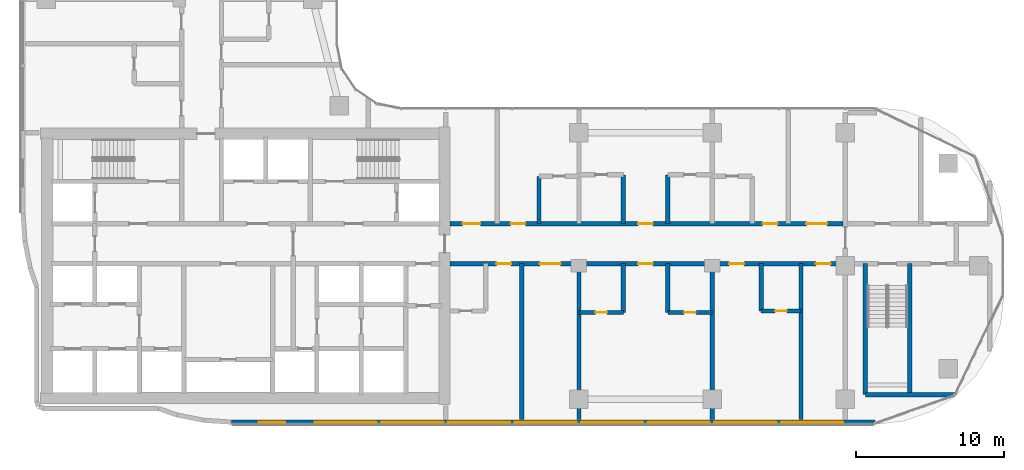
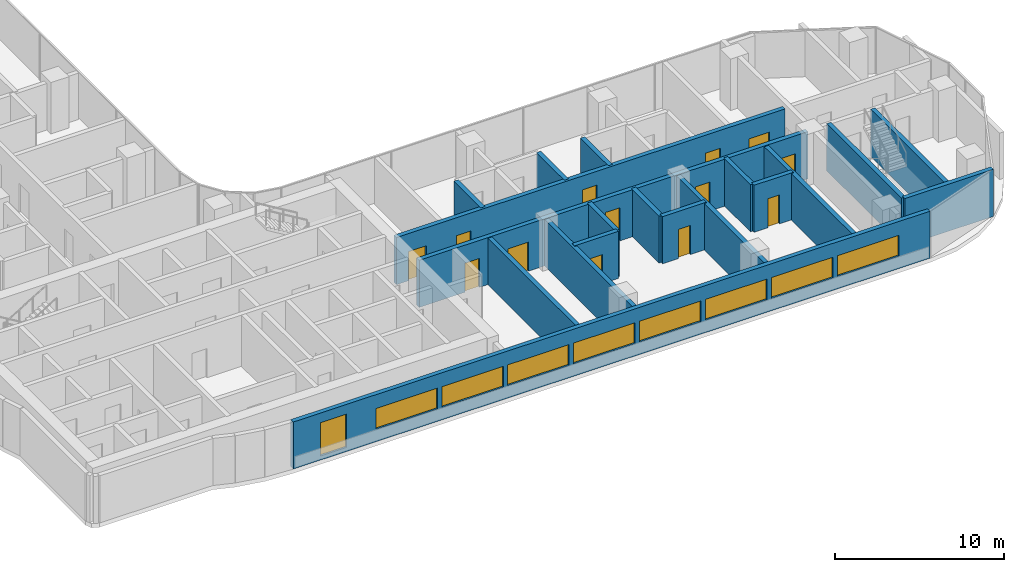
# One storey, part 11 of 22: 19 walls, 13 doors, 9 windows, 22 openings.
"""IFC4 building model written with IfcOpenShell, lengths in metres."""

from ifc_helpers import new_model, si_unit, direction, frame, frame_2d, origin, place, context, subcontext, project, spatial, rectangle, extrude, material, layer, layer_set, type_object, element, fill, save


model = new_model("IFC4")

# Units and contexts
model_context = context("Model", 3, precision=1e-05, world=origin(), true_north=direction((0.0, 1.0)))
body_context = subcontext(model_context, "Body", "Model", "MODEL_VIEW")
ifc_project = project(units=[si_unit("LENGTHUNIT", "METRE"), si_unit("AREAUNIT", "SQUARE_METRE"), si_unit("VOLUMEUNIT", "CUBIC_METRE"), si_unit("PLANEANGLEUNIT", "RADIAN"), si_unit("MASSUNIT", "GRAM", prefix="KILO")], contexts=[model_context])

# Site, building, storey
site_placement = place(None, origin())
site = spatial("IfcSite", under=ifc_project, at=site_placement, CompositionType="ELEMENT")
building_placement = place(site_placement, origin())
building = spatial("IfcBuilding", under=site, at=building_placement, Name="Ogive Portal Towers", CompositionType="ELEMENT")
storey_placement = place(building_placement, frame((0.0, 0.0, 131.5)))
storey = spatial("IfcBuildingStorey", under=building, at=storey_placement, Name="L32", CompositionType="ELEMENT", Elevation=131.5)

# Wall, openings, windows
ifc_material_1 = material(Name="Limestone cladding on lightweight block wall", Category="masonry")
ifc_layer_1 = layer(ifc_material_1, 0.300048828125)
ifc_layer_set_1 = layer_set([ifc_layer_1], Name="EXTERNAL WALL 300 STONE")
wall_type_1 = type_object("IfcWallType", Name="EXTERNAL WALL 300 STONE", PredefinedType="SOLIDWALL", material=ifc_layer_set_1)
wall_1_placement = place(storey_placement, frame((44.009765625, 19.93505859375, 0.0), z_axis=(0.0, 0.0, 1.0), x_axis=(1.0, 0.0, 0.0)))
wall_1 = element("IfcWall", 1, at=wall_1_placement, inside=storey, type_object=wall_type_1, Name="A:L32:f07:r0:wall", PredefinedType="SOLIDWALL", context=body_context, shape_type="SweptSolid", body=[
    extrude(rectangle(XDim=43.4765625, YDim=0.300048828125, at=frame_2d((21.73828125, 0.0))), origin(), (0.0, 0.0, 1.0), 3.39990234375),
])
opening_1_placement = place(wall_1_placement, frame((1.844970703125, 0.0, 0.300048828125)))
opening_1 = element("IfcOpeningElement", 2, at=opening_1_placement, cuts=wall_1, Name="Opening WN10", PredefinedType="OPENING", context=body_context, shape_type="SweptSolid", body=[
    extrude(rectangle(XDim=1.800048828125, YDim=2.39990234375, at=frame_2d((0.89990234375, 1.199951171875))), frame((0.0, 0.16015625, 0.0), z_axis=(0.0, -1.0, 0.0), x_axis=(1.0, 0.0, 0.0)), (0.0, 0.0, 1.0), 0.320068359375),
])
opening_2_placement = place(wall_1_placement, frame((5.64013671875, 0.0, 0.89990234375)))
opening_2 = element("IfcOpeningElement", 3, at=opening_2_placement, cuts=wall_1, Name="Opening WN11", PredefinedType="OPENING", context=body_context, shape_type="SweptSolid", body=[
    extrude(rectangle(XDim=4.199951171875, YDim=1.5, at=frame_2d((2.10009765625, 0.75))), frame((0.0, 0.16015625, 0.0), z_axis=(0.0, -1.0, 0.0), x_axis=(1.0, 0.0, 0.0)), (0.0, 0.0, 1.0), 0.320068359375),
])
opening_3_placement = place(wall_1_placement, frame((10.14013671875, 0.0, 0.89990234375)))
opening_3 = element("IfcOpeningElement", 4, at=opening_3_placement, cuts=wall_1, Name="Opening WN11", PredefinedType="OPENING", context=body_context, shape_type="SweptSolid", body=[
    extrude(rectangle(XDim=4.199951171875, YDim=1.5, at=frame_2d((2.10009765625, 0.75))), frame((0.0, 0.16015625, 0.0), z_axis=(0.0, -1.0, 0.0), x_axis=(1.0, 0.0, 0.0)), (0.0, 0.0, 1.0), 0.320068359375),
])
opening_4_placement = place(wall_1_placement, frame((14.64013671875, 0.0, 0.89990234375)))
opening_4 = element("IfcOpeningElement", 5, at=opening_4_placement, cuts=wall_1, Name="Opening WN11", PredefinedType="OPENING", context=body_context, shape_type="SweptSolid", body=[
    extrude(rectangle(XDim=4.199951171875, YDim=1.5, at=frame_2d((2.10009765625, 0.75))), frame((0.0, 0.16015625, 0.0), z_axis=(0.0, -1.0, 0.0), x_axis=(1.0, 0.0, 0.0)), (0.0, 0.0, 1.0), 0.320068359375),
])
opening_5_placement = place(wall_1_placement, frame((19.14013671875, 0.0, 0.89990234375)))
opening_5 = element("IfcOpeningElement", 6, at=opening_5_placement, cuts=wall_1, Name="Opening WN11", PredefinedType="OPENING", context=body_context, shape_type="SweptSolid", body=[
    extrude(rectangle(XDim=4.199951171875, YDim=1.5, at=frame_2d((2.10009765625, 0.75))), frame((0.0, 0.16015625, 0.0), z_axis=(0.0, -1.0, 0.0), x_axis=(1.0, 0.0, 0.0)), (0.0, 0.0, 1.0), 0.320068359375),
])
opening_6_placement = place(wall_1_placement, frame((23.64013671875, 0.0, 0.89990234375)))
opening_6 = element("IfcOpeningElement", 7, at=opening_6_placement, cuts=wall_1, Name="Opening WN11", PredefinedType="OPENING", context=body_context, shape_type="SweptSolid", body=[
    extrude(rectangle(XDim=4.199951171875, YDim=1.5, at=frame_2d((2.10009765625, 0.75))), frame((0.0, 0.16015625, 0.0), z_axis=(0.0, -1.0, 0.0), x_axis=(1.0, 0.0, 0.0)), (0.0, 0.0, 1.0), 0.320068359375),
])
opening_7_placement = place(wall_1_placement, frame((28.14013671875, 0.0, 0.89990234375)))
opening_7 = element("IfcOpeningElement", 8, at=opening_7_placement, cuts=wall_1, Name="Opening WN11", PredefinedType="OPENING", context=body_context, shape_type="SweptSolid", body=[
    extrude(rectangle(XDim=4.199951171875, YDim=1.5, at=frame_2d((2.10009765625, 0.75))), frame((0.0, 0.16015625, 0.0), z_axis=(0.0, -1.0, 0.0), x_axis=(1.0, 0.0, 0.0)), (0.0, 0.0, 1.0), 0.320068359375),
])
opening_8_placement = place(wall_1_placement, frame((32.64013671875, 0.0, 0.89990234375)))
opening_8 = element("IfcOpeningElement", 9, at=opening_8_placement, cuts=wall_1, Name="Opening WN11", PredefinedType="OPENING", context=body_context, shape_type="SweptSolid", body=[
    extrude(rectangle(XDim=4.199951171875, YDim=1.5, at=frame_2d((2.10009765625, 0.75))), frame((0.0, 0.16015625, 0.0), z_axis=(0.0, -1.0, 0.0), x_axis=(1.0, 0.0, 0.0)), (0.0, 0.0, 1.0), 0.320068359375),
])
opening_9_placement = place(wall_1_placement, frame((37.14013671875, 0.0, 0.89990234375)))
opening_9 = element("IfcOpeningElement", 10, at=opening_9_placement, cuts=wall_1, Name="Opening WN11", PredefinedType="OPENING", context=body_context, shape_type="SweptSolid", body=[
    extrude(rectangle(XDim=4.199951171875, YDim=1.5, at=frame_2d((2.10009765625, 0.75))), frame((0.0, 0.16015625, 0.0), z_axis=(0.0, -1.0, 0.0), x_axis=(1.0, 0.0, 0.0)), (0.0, 0.0, 1.0), 0.320068359375),
])
ifc_material_2 = material(Name="Glass, clear low-iron insulated glazing", Category="glass")
window_type_1 = type_object("IfcWindowType", Name="WINDOW RIBBON 4200x1500", PartitioningType="TRIPLE_PANEL_VERTICAL", PredefinedType="WINDOW", material=ifc_material_2)
window_1_placement = place(opening_2_placement, origin())
window_1 = element("IfcWindow", 11, at=window_1_placement, inside=storey, type_object=window_type_1, Name="A:L32:f07:r0:w1", OverallHeight=1.5, OverallWidth=4.199951171875, PartitioningType="SINGLE_PANEL", PredefinedType="WINDOW", context=body_context, shape_type="SweptSolid", body=[
    extrude(rectangle(XDim=4.199951171875, YDim=1.5, at=frame_2d((2.10009765625, 0.75))), frame((0.0, 0.030029296875, 0.0), z_axis=(0.0, -1.0, 0.0), x_axis=(1.0, 0.0, 0.0)), (0.0, 0.0, 1.0), 0.06005859375),
])
fill(opening_2, window_1)
window_2_placement = place(opening_3_placement, origin())
window_2 = element("IfcWindow", 12, at=window_2_placement, inside=storey, type_object=window_type_1, Name="A:L32:f07:r0:w2", OverallHeight=1.5, OverallWidth=4.199951171875, PartitioningType="SINGLE_PANEL", PredefinedType="WINDOW", context=body_context, shape_type="SweptSolid", body=[
    extrude(rectangle(XDim=4.199951171875, YDim=1.5, at=frame_2d((2.10009765625, 0.75))), frame((0.0, 0.030029296875, 0.0), z_axis=(0.0, -1.0, 0.0), x_axis=(1.0, 0.0, 0.0)), (0.0, 0.0, 1.0), 0.06005859375),
])
fill(opening_3, window_2)
window_3_placement = place(opening_4_placement, origin())
window_3 = element("IfcWindow", 13, at=window_3_placement, inside=storey, type_object=window_type_1, Name="A:L32:f07:r0:w3", OverallHeight=1.5, OverallWidth=4.199951171875, PartitioningType="SINGLE_PANEL", PredefinedType="WINDOW", context=body_context, shape_type="SweptSolid", body=[
    extrude(rectangle(XDim=4.199951171875, YDim=1.5, at=frame_2d((2.10009765625, 0.75))), frame((0.0, 0.030029296875, 0.0), z_axis=(0.0, -1.0, 0.0), x_axis=(1.0, 0.0, 0.0)), (0.0, 0.0, 1.0), 0.06005859375),
])
fill(opening_4, window_3)
window_4_placement = place(opening_5_placement, origin())
window_4 = element("IfcWindow", 14, at=window_4_placement, inside=storey, type_object=window_type_1, Name="A:L32:f07:r0:w4", OverallHeight=1.5, OverallWidth=4.199951171875, PartitioningType="SINGLE_PANEL", PredefinedType="WINDOW", context=body_context, shape_type="SweptSolid", body=[
    extrude(rectangle(XDim=4.199951171875, YDim=1.5, at=frame_2d((2.10009765625, 0.75))), frame((0.0, 0.030029296875, 0.0), z_axis=(0.0, -1.0, 0.0), x_axis=(1.0, 0.0, 0.0)), (0.0, 0.0, 1.0), 0.06005859375),
])
fill(opening_5, window_4)
window_5_placement = place(opening_6_placement, origin())
window_5 = element("IfcWindow", 15, at=window_5_placement, inside=storey, type_object=window_type_1, Name="A:L32:f07:r0:w5", OverallHeight=1.5, OverallWidth=4.199951171875, PartitioningType="SINGLE_PANEL", PredefinedType="WINDOW", context=body_context, shape_type="SweptSolid", body=[
    extrude(rectangle(XDim=4.199951171875, YDim=1.5, at=frame_2d((2.10009765625, 0.75))), frame((0.0, 0.030029296875, 0.0), z_axis=(0.0, -1.0, 0.0), x_axis=(1.0, 0.0, 0.0)), (0.0, 0.0, 1.0), 0.06005859375),
])
fill(opening_6, window_5)
window_6_placement = place(opening_7_placement, origin())
window_6 = element("IfcWindow", 16, at=window_6_placement, inside=storey, type_object=window_type_1, Name="A:L32:f07:r0:w6", OverallHeight=1.5, OverallWidth=4.199951171875, PartitioningType="SINGLE_PANEL", PredefinedType="WINDOW", context=body_context, shape_type="SweptSolid", body=[
    extrude(rectangle(XDim=4.199951171875, YDim=1.5, at=frame_2d((2.10009765625, 0.75))), frame((0.0, 0.030029296875, 0.0), z_axis=(0.0, -1.0, 0.0), x_axis=(1.0, 0.0, 0.0)), (0.0, 0.0, 1.0), 0.06005859375),
])
fill(opening_7, window_6)
window_7_placement = place(opening_8_placement, origin())
window_7 = element("IfcWindow", 17, at=window_7_placement, inside=storey, type_object=window_type_1, Name="A:L32:f07:r0:w7", OverallHeight=1.5, OverallWidth=4.199951171875, PartitioningType="SINGLE_PANEL", PredefinedType="WINDOW", context=body_context, shape_type="SweptSolid", body=[
    extrude(rectangle(XDim=4.199951171875, YDim=1.5, at=frame_2d((2.10009765625, 0.75))), frame((0.0, 0.030029296875, 0.0), z_axis=(0.0, -1.0, 0.0), x_axis=(1.0, 0.0, 0.0)), (0.0, 0.0, 1.0), 0.06005859375),
])
fill(opening_8, window_7)
window_8_placement = place(opening_9_placement, origin())
window_8 = element("IfcWindow", 18, at=window_8_placement, inside=storey, type_object=window_type_1, Name="A:L32:f07:r0:w8", OverallHeight=1.5, OverallWidth=4.199951171875, PartitioningType="SINGLE_PANEL", PredefinedType="WINDOW", context=body_context, shape_type="SweptSolid", body=[
    extrude(rectangle(XDim=4.199951171875, YDim=1.5, at=frame_2d((2.10009765625, 0.75))), frame((0.0, 0.030029296875, 0.0), z_axis=(0.0, -1.0, 0.0), x_axis=(1.0, 0.0, 0.0)), (0.0, 0.0, 1.0), 0.06005859375),
])
fill(opening_9, window_8)
window_type_2 = type_object("IfcWindowType", Name="WINDOW SUITE CORNER 1800x2400", PartitioningType="DOUBLE_PANEL_VERTICAL", PredefinedType="WINDOW", material=ifc_material_2)
window_9_placement = place(opening_1_placement, origin())
window_9 = element("IfcWindow", 19, at=window_9_placement, inside=storey, type_object=window_type_2, Name="A:L32:f07:r0:w0", OverallHeight=2.39990234375, OverallWidth=1.800048828125, PartitioningType="SINGLE_PANEL", PredefinedType="WINDOW", context=body_context, shape_type="SweptSolid", body=[
    extrude(rectangle(XDim=1.800048828125, YDim=2.39990234375, at=frame_2d((0.89990234375, 1.199951171875))), frame((0.0, 0.030029296875, 0.0), z_axis=(0.0, -1.0, 0.0), x_axis=(1.0, 0.0, 0.0)), (0.0, 0.0, 1.0), 0.06005859375),
])
fill(opening_1, window_9)

# Walls
ifc_material_3 = material(Name="Concrete C50/60", Category="concrete")
ifc_layer_2 = layer(ifc_material_3, 0.300048828125)
ifc_layer_set_2 = layer_set([ifc_layer_2], Name="STAIR WALL 300 C50")
wall_type_2 = type_object("IfcWallType", Name="STAIR WALL 300 C50", PredefinedType="SHEAR", material=ifc_layer_set_2)
wall_2_placement = place(storey_placement, frame((86.85009765625, 21.800048828125, 0.0), z_axis=(0.0, 0.0, 1.0), x_axis=(1.0, 0.0, 0.0)))
element("IfcWall", 20, at=wall_2_placement, inside=storey, type_object=wall_type_2, Name="Stair wall ST-A4 L32", PredefinedType="SHEAR", context=body_context, shape_type="SweptSolid", body=[
    extrude(rectangle(XDim=6.0458984375, YDim=0.300048828125, at=frame_2d((3.02294921875, 0.0))), origin(), (0.0, 0.0, 1.0), 3.39990234375),
])
for number, where, z_axis, x_axis, name in (
    (21, (86.85009765625, 21.800048828125, 0.0), (0.0, 0.0, 1.0), (0.0, 1.0, 0.0), "Stair wall ST-A4 L32"),
    (22, (89.85009765625, 21.800048828125, 0.0), (0.0, 0.0, 1.0), (0.0, 1.0, 0.0), "Stair wall ST-A4 L32"),
):
    element("IfcWall", number, at=place(storey_placement, frame(where, z_axis=z_axis, x_axis=x_axis)), inside=storey, type_object=wall_type_2, Name=name, PredefinedType="SHEAR", context=body_context, shape_type="SweptSolid", body=[
        extrude(rectangle(XDim=8.849853515625, YDim=0.300048828125, at=frame_2d((4.4248046875, 0.0))), origin(), (0.0, 0.0, 1.0), 3.39990234375),
    ])

# Wall, openings, doors
ifc_material_4 = material(Name="Gypsum board partition on steel studs", Category="steel")
ifc_layer_3 = layer(ifc_material_4, 0.300048828125)
ifc_layer_set_3 = layer_set([ifc_layer_3], Name="WT-PART-300-EI 120")
wall_type_3 = type_object("IfcWallType", Name="WT-PART-300-EI 120", PredefinedType="PARTITIONING", material=ifc_layer_set_3)
wall_3_placement = place(storey_placement, frame((58.800048828125, 30.64990234375, 0.0), z_axis=(0.0, 0.0, 1.0), x_axis=(1.0, 0.0, 0.0)))
wall_3 = element("IfcWall", 23, at=wall_3_placement, inside=storey, type_object=wall_type_3, Name="Wall L32:w006", PredefinedType="PARTITIONING", context=body_context, shape_type="SweptSolid", body=[
    extrude(rectangle(XDim=26.530029296875, YDim=0.300048828125, at=frame_2d((13.26513671875, 0.0))), origin(), (0.0, 0.0, 1.0), 3.39990234375),
])
opening_10_placement = place(wall_3_placement, frame((3.114990234375, 0.0, 0.0)))
opening_10 = element("IfcOpeningElement", 24, at=opening_10_placement, cuts=wall_3, Name="Opening D11-031", PredefinedType="OPENING", context=body_context, shape_type="SweptSolid", body=[
    extrude(rectangle(XDim=1.0, YDim=2.10009765625, at=frame_2d((0.5, 1.050048828125))), frame((0.0, 0.16015625, 0.0), z_axis=(0.0, -1.0, 0.0), x_axis=(1.0, 0.0, 0.0)), (0.0, 0.0, 1.0), 0.320068359375),
])
opening_11_placement = place(wall_3_placement, frame((6.06494140625, 0.0, 0.0)))
opening_11 = element("IfcOpeningElement", 25, at=opening_11_placement, cuts=wall_3, Name="Opening D11-032", PredefinedType="OPENING", context=body_context, shape_type="SweptSolid", body=[
    extrude(rectangle(XDim=1.39990234375, YDim=2.10009765625, at=frame_2d((0.699951171875, 1.050048828125))), frame((0.0, 0.16015625, 0.0), z_axis=(0.0, -1.0, 0.0), x_axis=(1.0, 0.0, 0.0)), (0.0, 0.0, 1.0), 0.320068359375),
])
opening_12_placement = place(wall_3_placement, frame((12.699951171875, 0.0, 0.0)))
opening_12 = element("IfcOpeningElement", 26, at=opening_12_placement, cuts=wall_3, Name="Opening D11-038", PredefinedType="OPENING", context=body_context, shape_type="SweptSolid", body=[
    extrude(rectangle(XDim=1.0, YDim=2.39990234375, at=frame_2d((0.5, 1.199951171875))), frame((0.0, 0.16015625, 0.0), z_axis=(0.0, -1.0, 0.0), x_axis=(1.0, 0.0, 0.0)), (0.0, 0.0, 1.0), 0.320068359375),
])
opening_13_placement = place(wall_3_placement, frame((18.85009765625, 0.0, 0.0)))
opening_13 = element("IfcOpeningElement", 27, at=opening_13_placement, cuts=wall_3, Name="Opening D11-043", PredefinedType="OPENING", context=body_context, shape_type="SweptSolid", body=[
    extrude(rectangle(XDim=1.0, YDim=2.10009765625, at=frame_2d((0.5, 1.050048828125))), frame((0.0, 0.16015625, 0.0), z_axis=(0.0, -1.0, 0.0), x_axis=(1.0, 0.0, 0.0)), (0.0, 0.0, 1.0), 0.320068359375),
])
opening_14_placement = place(wall_3_placement, frame((24.699951171875, 0.0, 0.0)))
opening_14 = element("IfcOpeningElement", 28, at=opening_14_placement, cuts=wall_3, Name="Opening D11-044", PredefinedType="OPENING", context=body_context, shape_type="SweptSolid", body=[
    extrude(rectangle(XDim=1.0, YDim=2.10009765625, at=frame_2d((0.5, 1.050048828125))), frame((0.0, 0.16015625, 0.0), z_axis=(0.0, -1.0, 0.0), x_axis=(1.0, 0.0, 0.0)), (0.0, 0.0, 1.0), 0.320068359375),
])
ifc_material_5 = material(Name="Steel fire door", Category="steel")
door_type_1 = type_object("IfcDoorType", Name="DT-ENTRY-1000x2100-FD90S", OperationType="SINGLE_SWING_LEFT", PredefinedType="DOOR", material=ifc_material_5)
door_1_placement = place(opening_10_placement, origin())
door_1 = element("IfcDoor", 29, at=door_1_placement, inside=storey, type_object=door_type_1, Name="Door D11-031", OperationType="SINGLE_SWING_LEFT", OverallHeight=2.10009765625, OverallWidth=1.0, PredefinedType="DOOR", context=body_context, shape_type="SweptSolid", body=[
    extrude(rectangle(XDim=1.0, YDim=2.10009765625, at=frame_2d((0.5, 1.050048828125))), frame((0.0, 0.02490234375, 0.0), z_axis=(0.0, -1.0, 0.0), x_axis=(1.0, 0.0, 0.0)), (0.0, 0.0, 1.0), 0.050048828125),
])
fill(opening_10, door_1)
door_2_placement = place(opening_13_placement, origin())
door_2 = element("IfcDoor", 30, at=door_2_placement, inside=storey, type_object=door_type_1, Name="Door D11-043", OperationType="SINGLE_SWING_LEFT", OverallHeight=2.10009765625, OverallWidth=1.0, PredefinedType="DOOR", context=body_context, shape_type="SweptSolid", body=[
    extrude(rectangle(XDim=1.0, YDim=2.10009765625, at=frame_2d((0.5, 1.050048828125))), frame((0.0, 0.02490234375, 0.0), z_axis=(0.0, -1.0, 0.0), x_axis=(1.0, 0.0, 0.0)), (0.0, 0.0, 1.0), 0.050048828125),
])
fill(opening_13, door_2)
door_3_placement = place(opening_14_placement, origin())
door_3 = element("IfcDoor", 31, at=door_3_placement, inside=storey, type_object=door_type_1, Name="Door D11-044", OperationType="SINGLE_SWING_RIGHT", OverallHeight=2.10009765625, OverallWidth=1.0, PredefinedType="DOOR", context=body_context, shape_type="SweptSolid", body=[
    extrude(rectangle(XDim=1.0, YDim=2.10009765625, at=frame_2d((0.5, 1.050048828125))), frame((0.0, 0.02490234375, 0.0), z_axis=(0.0, -1.0, 0.0), x_axis=(1.0, 0.0, 0.0)), (0.0, 0.0, 1.0), 0.050048828125),
])
fill(opening_14, door_3)
door_type_2 = type_object("IfcDoorType", Name="DT-ENTRY-1000x2400-FD90S", OperationType="SINGLE_SWING_LEFT", PredefinedType="DOOR", material=ifc_material_5)
door_4_placement = place(opening_12_placement, origin())
door_4 = element("IfcDoor", 32, at=door_4_placement, inside=storey, type_object=door_type_2, Name="Door D11-038", OperationType="SINGLE_SWING_LEFT", OverallHeight=2.39990234375, OverallWidth=1.0, PredefinedType="DOOR", context=body_context, shape_type="SweptSolid", body=[
    extrude(rectangle(XDim=1.0, YDim=2.39990234375, at=frame_2d((0.5, 1.199951171875))), frame((0.0, 0.02490234375, 0.0), z_axis=(0.0, -1.0, 0.0), x_axis=(1.0, 0.0, 0.0)), (0.0, 0.0, 1.0), 0.050048828125),
])
fill(opening_12, door_4)
door_type_3 = type_object("IfcDoorType", Name="DT-ENTRY-1400x2100-FD90S", OperationType="SINGLE_SWING_LEFT", PredefinedType="DOOR", material=ifc_material_5)
door_5_placement = place(opening_11_placement, origin())
door_5 = element("IfcDoor", 33, at=door_5_placement, inside=storey, type_object=door_type_3, Name="Door D11-032", OperationType="SINGLE_SWING_RIGHT", OverallHeight=2.10009765625, OverallWidth=1.39990234375, PredefinedType="DOOR", context=body_context, shape_type="SweptSolid", body=[
    extrude(rectangle(XDim=1.39990234375, YDim=2.10009765625, at=frame_2d((0.699951171875, 1.050048828125))), frame((0.0, 0.02490234375, 0.0), z_axis=(0.0, -1.0, 0.0), x_axis=(1.0, 0.0, 0.0)), (0.0, 0.0, 1.0), 0.050048828125),
])
fill(opening_11, door_5)

wall_4_placement = place(storey_placement, frame((58.800048828125, 33.35009765625, 0.0), z_axis=(0.0, 0.0, 1.0), x_axis=(1.0, 0.0, 0.0)))
wall_4 = element("IfcWall", 34, at=wall_4_placement, inside=storey, type_object=wall_type_3, Name="Wall L32:w008", PredefinedType="PARTITIONING", context=body_context, shape_type="SweptSolid", body=[
    extrude(rectangle(XDim=26.530029296875, YDim=0.300048828125, at=frame_2d((13.26513671875, 0.0))), origin(), (0.0, 0.0, 1.0), 3.39990234375),
])
opening_15_placement = place(wall_4_placement, frame((0.8349609375, 0.0, 0.0)))
opening_15 = element("IfcOpeningElement", 35, at=opening_15_placement, cuts=wall_4, Name="Opening D11-027", PredefinedType="OPENING", context=body_context, shape_type="SweptSolid", body=[
    extrude(rectangle(XDim=1.199951171875, YDim=2.10009765625, at=frame_2d((0.60009765625, 1.050048828125))), frame((0.0, 0.16015625, 0.0), z_axis=(0.0, -1.0, 0.0), x_axis=(1.0, 0.0, 0.0)), (0.0, 0.0, 1.0), 0.320068359375),
])
opening_16_placement = place(wall_4_placement, frame((4.0849609375, 0.0, 0.0)))
opening_16 = element("IfcOpeningElement", 36, at=opening_16_placement, cuts=wall_4, Name="Opening D11-029", PredefinedType="OPENING", context=body_context, shape_type="SweptSolid", body=[
    extrude(rectangle(XDim=1.0, YDim=2.10009765625, at=frame_2d((0.5, 1.050048828125))), frame((0.0, 0.16015625, 0.0), z_axis=(0.0, -1.0, 0.0), x_axis=(1.0, 0.0, 0.0)), (0.0, 0.0, 1.0), 0.320068359375),
])
opening_17_placement = place(wall_4_placement, frame((12.699951171875, 0.0, 0.0)))
opening_17 = element("IfcOpeningElement", 37, at=opening_17_placement, cuts=wall_4, Name="Opening D11-035", PredefinedType="OPENING", context=body_context, shape_type="SweptSolid", body=[
    extrude(rectangle(XDim=1.0, YDim=2.39990234375, at=frame_2d((0.5, 1.199951171875))), frame((0.0, 0.16015625, 0.0), z_axis=(0.0, -1.0, 0.0), x_axis=(1.0, 0.0, 0.0)), (0.0, 0.0, 1.0), 0.320068359375),
])
opening_18_placement = place(wall_4_placement, frame((21.114990234375, 0.0, 0.0)))
opening_18 = element("IfcOpeningElement", 38, at=opening_18_placement, cuts=wall_4, Name="Opening D11-040", PredefinedType="OPENING", context=body_context, shape_type="SweptSolid", body=[
    extrude(rectangle(XDim=1.0, YDim=2.10009765625, at=frame_2d((0.5, 1.050048828125))), frame((0.0, 0.16015625, 0.0), z_axis=(0.0, -1.0, 0.0), x_axis=(1.0, 0.0, 0.0)), (0.0, 0.0, 1.0), 0.320068359375),
])
opening_19_placement = place(wall_4_placement, frame((24.06494140625, 0.0, 0.0)))
opening_19 = element("IfcOpeningElement", 39, at=opening_19_placement, cuts=wall_4, Name="Opening D11-041", PredefinedType="OPENING", context=body_context, shape_type="SweptSolid", body=[
    extrude(rectangle(XDim=1.39990234375, YDim=2.10009765625, at=frame_2d((0.699951171875, 1.050048828125))), frame((0.0, 0.16015625, 0.0), z_axis=(0.0, -1.0, 0.0), x_axis=(1.0, 0.0, 0.0)), (0.0, 0.0, 1.0), 0.320068359375),
])
door_6_placement = place(opening_16_placement, origin())
door_6 = element("IfcDoor", 40, at=door_6_placement, inside=storey, type_object=door_type_1, Name="Door D11-029", OperationType="SINGLE_SWING_LEFT", OverallHeight=2.10009765625, OverallWidth=1.0, PredefinedType="DOOR", context=body_context, shape_type="SweptSolid", body=[
    extrude(rectangle(XDim=1.0, YDim=2.10009765625, at=frame_2d((0.5, 1.050048828125))), frame((0.0, 0.02490234375, 0.0), z_axis=(0.0, -1.0, 0.0), x_axis=(1.0, 0.0, 0.0)), (0.0, 0.0, 1.0), 0.050048828125),
])
fill(opening_16, door_6)
door_7_placement = place(opening_18_placement, origin())
door_7 = element("IfcDoor", 41, at=door_7_placement, inside=storey, type_object=door_type_1, Name="Door D11-040", OperationType="SINGLE_SWING_LEFT", OverallHeight=2.10009765625, OverallWidth=1.0, PredefinedType="DOOR", context=body_context, shape_type="SweptSolid", body=[
    extrude(rectangle(XDim=1.0, YDim=2.10009765625, at=frame_2d((0.5, 1.050048828125))), frame((0.0, 0.02490234375, 0.0), z_axis=(0.0, -1.0, 0.0), x_axis=(1.0, 0.0, 0.0)), (0.0, 0.0, 1.0), 0.050048828125),
])
fill(opening_18, door_7)
door_8_placement = place(opening_17_placement, origin())
door_8 = element("IfcDoor", 42, at=door_8_placement, inside=storey, type_object=door_type_2, Name="Door D11-035", OperationType="SINGLE_SWING_LEFT", OverallHeight=2.39990234375, OverallWidth=1.0, PredefinedType="DOOR", context=body_context, shape_type="SweptSolid", body=[
    extrude(rectangle(XDim=1.0, YDim=2.39990234375, at=frame_2d((0.5, 1.199951171875))), frame((0.0, 0.02490234375, 0.0), z_axis=(0.0, -1.0, 0.0), x_axis=(1.0, 0.0, 0.0)), (0.0, 0.0, 1.0), 0.050048828125),
])
fill(opening_17, door_8)
door_type_4 = type_object("IfcDoorType", Name="DT-ENTRY-1200x2100-FD90S", OperationType="SINGLE_SWING_LEFT", PredefinedType="DOOR", material=ifc_material_5)
door_9_placement = place(opening_15_placement, origin())
door_9 = element("IfcDoor", 43, at=door_9_placement, inside=storey, type_object=door_type_4, Name="Door D11-027", OperationType="SINGLE_SWING_LEFT", OverallHeight=2.10009765625, OverallWidth=1.199951171875, PredefinedType="DOOR", context=body_context, shape_type="SweptSolid", body=[
    extrude(rectangle(XDim=1.199951171875, YDim=2.10009765625, at=frame_2d((0.60009765625, 1.050048828125))), frame((0.0, 0.02490234375, 0.0), z_axis=(0.0, -1.0, 0.0), x_axis=(1.0, 0.0, 0.0)), (0.0, 0.0, 1.0), 0.050048828125),
])
fill(opening_15, door_9)
door_10_placement = place(opening_19_placement, origin())
door_10 = element("IfcDoor", 44, at=door_10_placement, inside=storey, type_object=door_type_3, Name="Door D11-041", OperationType="SINGLE_SWING_RIGHT", OverallHeight=2.10009765625, OverallWidth=1.39990234375, PredefinedType="DOOR", context=body_context, shape_type="SweptSolid", body=[
    extrude(rectangle(XDim=1.39990234375, YDim=2.10009765625, at=frame_2d((0.699951171875, 1.050048828125))), frame((0.0, 0.02490234375, 0.0), z_axis=(0.0, -1.0, 0.0), x_axis=(1.0, 0.0, 0.0)), (0.0, 0.0, 1.0), 0.050048828125),
])
fill(opening_19, door_10)

# Wall, opening, door
ifc_layer_4 = layer(ifc_material_4, 0.300048828125)
ifc_layer_set_4 = layer_set([ifc_layer_4], Name="WT-PART-300-EI 60")
wall_type_4 = type_object("IfcWallType", Name="WT-PART-300-EI 60", PredefinedType="PARTITIONING", material=ifc_layer_set_4)
wall_5_placement = place(storey_placement, frame((67.5, 27.35009765625, 0.0), z_axis=(0.0, 0.0, 1.0), x_axis=(1.0, 0.0, 0.0)))
wall_5 = element("IfcWall", 45, at=wall_5_placement, inside=storey, type_object=wall_type_4, Name="Wall L32:w002", PredefinedType="PARTITIONING", context=body_context, shape_type="SweptSolid", body=[
    extrude(rectangle(XDim=3.0, YDim=0.300048828125, at=frame_2d((1.5, 0.0))), origin(), (0.0, 0.0, 1.0), 3.39990234375),
])
opening_20_placement = place(wall_5_placement, frame((1.10009765625, 0.0, 0.0)))
opening_20 = element("IfcOpeningElement", 46, at=opening_20_placement, cuts=wall_5, Name="Opening D11-036", PredefinedType="OPENING", context=body_context, shape_type="SweptSolid", body=[
    extrude(rectangle(XDim=0.800048828125, YDim=2.10009765625, at=frame_2d((0.39990234375, 1.050048828125))), frame((0.0, 0.16015625, 0.0), z_axis=(0.0, -1.0, 0.0), x_axis=(1.0, 0.0, 0.0)), (0.0, 0.0, 1.0), 0.320068359375),
])
door_type_5 = type_object("IfcDoorType", Name="DT-BATH-800x2100-FD60S", OperationType="SINGLE_SWING_LEFT", PredefinedType="DOOR", material=ifc_material_5)
door_11_placement = place(opening_20_placement, origin())
door_11 = element("IfcDoor", 47, at=door_11_placement, inside=storey, type_object=door_type_5, Name="Door D11-036", OperationType="SINGLE_SWING_LEFT", OverallHeight=2.10009765625, OverallWidth=0.800048828125, PredefinedType="DOOR", context=body_context, shape_type="SweptSolid", body=[
    extrude(rectangle(XDim=0.800048828125, YDim=2.10009765625, at=frame_2d((0.39990234375, 1.050048828125))), frame((0.0, 0.02490234375, 0.0), z_axis=(0.0, -1.0, 0.0), x_axis=(1.0, 0.0, 0.0)), (0.0, 0.0, 1.0), 0.050048828125),
])
fill(opening_20, door_11)

wall_6_placement = place(storey_placement, frame((73.5, 27.35009765625, 0.0), z_axis=(0.0, 0.0, 1.0), x_axis=(1.0, 0.0, 0.0)))
wall_6 = element("IfcWall", 48, at=wall_6_placement, inside=storey, type_object=wall_type_4, Name="Wall L32:w003", PredefinedType="PARTITIONING", context=body_context, shape_type="SweptSolid", body=[
    extrude(rectangle(XDim=3.0, YDim=0.300048828125, at=frame_2d((1.5, 0.0))), origin(), (0.0, 0.0, 1.0), 3.39990234375),
])
opening_21_placement = place(wall_6_placement, frame((1.10009765625, 0.0, 0.0)))
opening_21 = element("IfcOpeningElement", 49, at=opening_21_placement, cuts=wall_6, Name="Opening D11-037", PredefinedType="OPENING", context=body_context, shape_type="SweptSolid", body=[
    extrude(rectangle(XDim=0.800048828125, YDim=2.10009765625, at=frame_2d((0.39990234375, 1.050048828125))), frame((0.0, 0.16015625, 0.0), z_axis=(0.0, -1.0, 0.0), x_axis=(1.0, 0.0, 0.0)), (0.0, 0.0, 1.0), 0.320068359375),
])
door_12_placement = place(opening_21_placement, origin())
door_12 = element("IfcDoor", 50, at=door_12_placement, inside=storey, type_object=door_type_5, Name="Door D11-037", OperationType="SINGLE_SWING_RIGHT", OverallHeight=2.10009765625, OverallWidth=0.800048828125, PredefinedType="DOOR", context=body_context, shape_type="SweptSolid", body=[
    extrude(rectangle(XDim=0.800048828125, YDim=2.10009765625, at=frame_2d((0.39990234375, 1.050048828125))), frame((0.0, 0.02490234375, 0.0), z_axis=(0.0, -1.0, 0.0), x_axis=(1.0, 0.0, 0.0)), (0.0, 0.0, 1.0), 0.050048828125),
])
fill(opening_21, door_12)

wall_7_placement = place(storey_placement, frame((79.800048828125, 27.449951171875, 0.0), z_axis=(0.0, 0.0, 1.0), x_axis=(1.0, 0.0, 0.0)))
wall_7 = element("IfcWall", 51, at=wall_7_placement, inside=storey, type_object=wall_type_4, Name="Wall L32:w005", PredefinedType="PARTITIONING", context=body_context, shape_type="SweptSolid", body=[
    extrude(rectangle(XDim=2.699951171875, YDim=0.300048828125, at=frame_2d((1.35009765625, 0.0))), origin(), (0.0, 0.0, 1.0), 3.39990234375),
])
opening_22_placement = place(wall_7_placement, frame((0.949951171875, 0.0, 0.0)))
opening_22 = element("IfcOpeningElement", 52, at=opening_22_placement, cuts=wall_7, Name="Opening D11-042", PredefinedType="OPENING", context=body_context, shape_type="SweptSolid", body=[
    extrude(rectangle(XDim=0.800048828125, YDim=2.10009765625, at=frame_2d((0.39990234375, 1.050048828125))), frame((0.0, 0.16015625, 0.0), z_axis=(0.0, -1.0, 0.0), x_axis=(1.0, 0.0, 0.0)), (0.0, 0.0, 1.0), 0.320068359375),
])
door_13_placement = place(opening_22_placement, origin())
door_13 = element("IfcDoor", 53, at=door_13_placement, inside=storey, type_object=door_type_5, Name="Door D11-042", OperationType="SINGLE_SWING_LEFT", OverallHeight=2.10009765625, OverallWidth=0.800048828125, PredefinedType="DOOR", context=body_context, shape_type="SweptSolid", body=[
    extrude(rectangle(XDim=0.800048828125, YDim=2.10009765625, at=frame_2d((0.39990234375, 1.050048828125))), frame((0.0, 0.02490234375, 0.0), z_axis=(0.0, -1.0, 0.0), x_axis=(1.0, 0.0, 0.0)), (0.0, 0.0, 1.0), 0.050048828125),
])
fill(opening_22, door_13)

# Walls
wall_8_placement = place(storey_placement, frame((63.6298828125, 20.135009765625, 0.0), z_axis=(0.0, 0.0, 1.0), x_axis=(0.0, 1.0, 0.0)))
element("IfcWall", 54, at=wall_8_placement, inside=storey, type_object=wall_type_4, Name="Wall L32:w048", PredefinedType="PARTITIONING", context=body_context, shape_type="SweptSolid", body=[
    extrude(rectangle(XDim=10.514892578125, YDim=0.300048828125, at=frame_2d((5.25732421875, 0.0))), origin(), (0.0, 0.0, 1.0), 3.35009765625),
])
wall_9_placement = place(storey_placement, frame((64.800048828125, 33.35009765625, 0.0), z_axis=(0.0, 0.0, 1.0), x_axis=(0.0, 1.0, 0.0)))
element("IfcWall", 55, at=wall_9_placement, inside=storey, type_object=wall_type_4, Name="Wall L32:w049", PredefinedType="PARTITIONING", context=body_context, shape_type="SweptSolid", body=[
    extrude(rectangle(XDim=3.199951171875, YDim=0.300048828125, at=frame_2d((1.60009765625, 0.0))), origin(), (0.0, 0.0, 1.0), 3.39990234375),
])
wall_10_placement = place(storey_placement, frame((67.5, 20.135009765625, 0.0), z_axis=(0.0, 0.0, 1.0), x_axis=(0.0, 1.0, 0.0)))
element("IfcWall", 56, at=wall_10_placement, inside=storey, type_object=wall_type_4, Name="Wall L32:w050", PredefinedType="PARTITIONING", context=body_context, shape_type="SweptSolid", body=[
    extrude(rectangle(XDim=10.514892578125, YDim=0.300048828125, at=frame_2d((5.25732421875, 0.0))), origin(), (0.0, 0.0, 1.0), 3.35009765625),
])
for number, where, z_axis, x_axis, name in (
    (57, (70.5, 27.35009765625, 0.0), (0.0, 0.0, 1.0), (0.0, 1.0, 0.0), "Wall L32:w052"),
    (58, (70.5, 33.35009765625, 0.0), (0.0, 0.0, 1.0), (0.0, 1.0, 0.0), "Wall L32:w053"),
    (59, (73.5, 27.35009765625, 0.0), (0.0, 0.0, 1.0), (0.0, 1.0, 0.0), "Wall L32:w054"),
    (60, (73.5, 33.35009765625, 0.0), (0.0, 0.0, 1.0), (0.0, 1.0, 0.0), "Wall L32:w055"),
):
    element("IfcWall", number, at=place(storey_placement, frame(where, z_axis=z_axis, x_axis=x_axis)), inside=storey, type_object=wall_type_4, Name=name, PredefinedType="PARTITIONING", context=body_context, shape_type="SweptSolid", body=[
        extrude(rectangle(XDim=3.2998046875, YDim=0.300048828125, at=frame_2d((1.64990234375, 0.0))), origin(), (0.0, 0.0, 1.0), 3.39990234375),
    ])
wall_11_placement = place(storey_placement, frame((76.5, 20.135009765625, 0.0), z_axis=(0.0, 0.0, 1.0), x_axis=(0.0, 1.0, 0.0)))
element("IfcWall", 61, at=wall_11_placement, inside=storey, type_object=wall_type_4, Name="Wall L32:w056", PredefinedType="PARTITIONING", context=body_context, shape_type="SweptSolid", body=[
    extrude(rectangle(XDim=10.514892578125, YDim=0.300048828125, at=frame_2d((5.25732421875, 0.0))), origin(), (0.0, 0.0, 1.0), 3.35009765625),
])
wall_12_placement = place(storey_placement, frame((79.800048828125, 27.449951171875, 0.0), z_axis=(0.0, 0.0, 1.0), x_axis=(0.0, 1.0, 0.0)))
element("IfcWall", 62, at=wall_12_placement, inside=storey, type_object=wall_type_4, Name="Wall L32:w059", PredefinedType="PARTITIONING", context=body_context, shape_type="SweptSolid", body=[
    extrude(rectangle(XDim=3.199951171875, YDim=0.300048828125, at=frame_2d((1.60009765625, 0.0))), origin(), (0.0, 0.0, 1.0), 3.39990234375),
])
wall_13_placement = place(storey_placement, frame((82.5, 20.135009765625, 0.0), z_axis=(0.0, 0.0, 1.0), x_axis=(0.0, 1.0, 0.0)))
element("IfcWall", 63, at=wall_13_placement, inside=storey, type_object=wall_type_4, Name="Wall L32:w061", PredefinedType="PARTITIONING", context=body_context, shape_type="SweptSolid", body=[
    extrude(rectangle(XDim=10.514892578125, YDim=0.300048828125, at=frame_2d((5.25732421875, 0.0))), origin(), (0.0, 0.0, 1.0), 3.35009765625),
])

save(model, "model.ifc")
